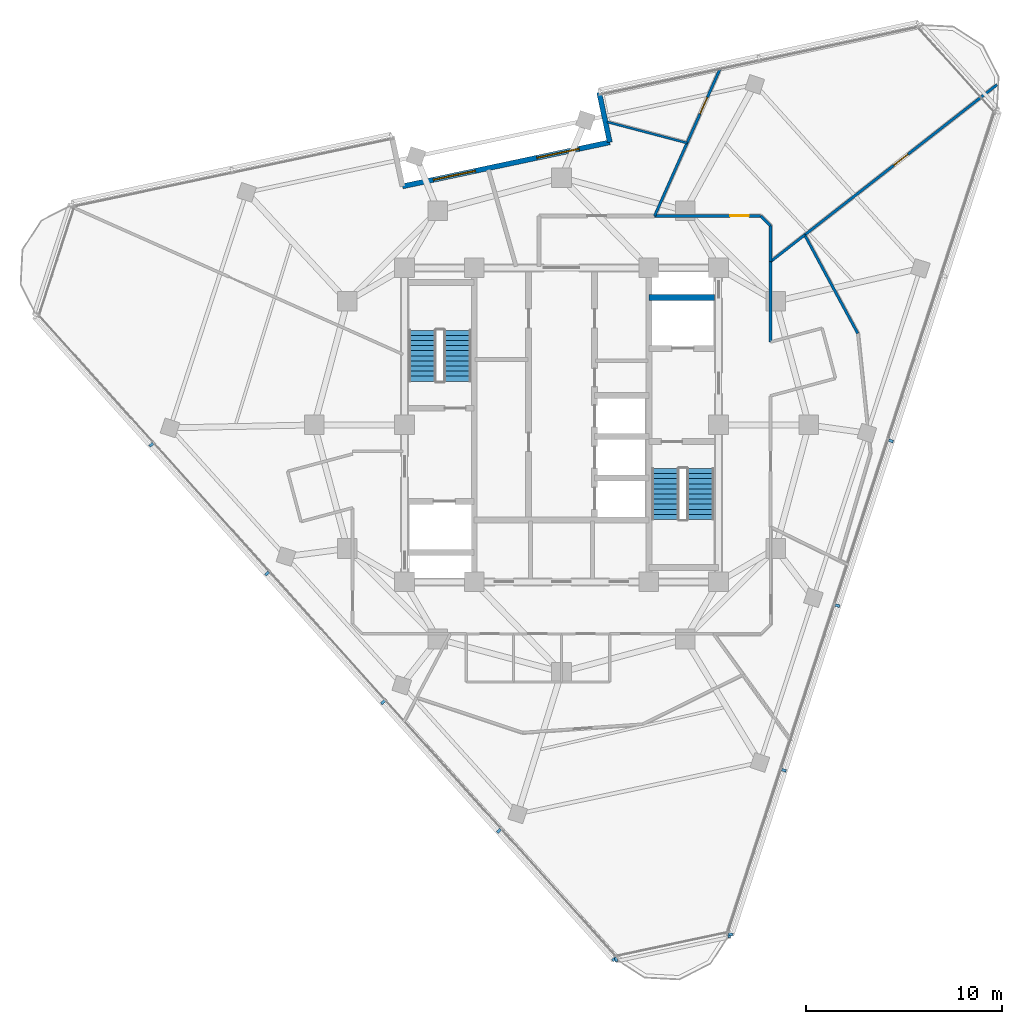
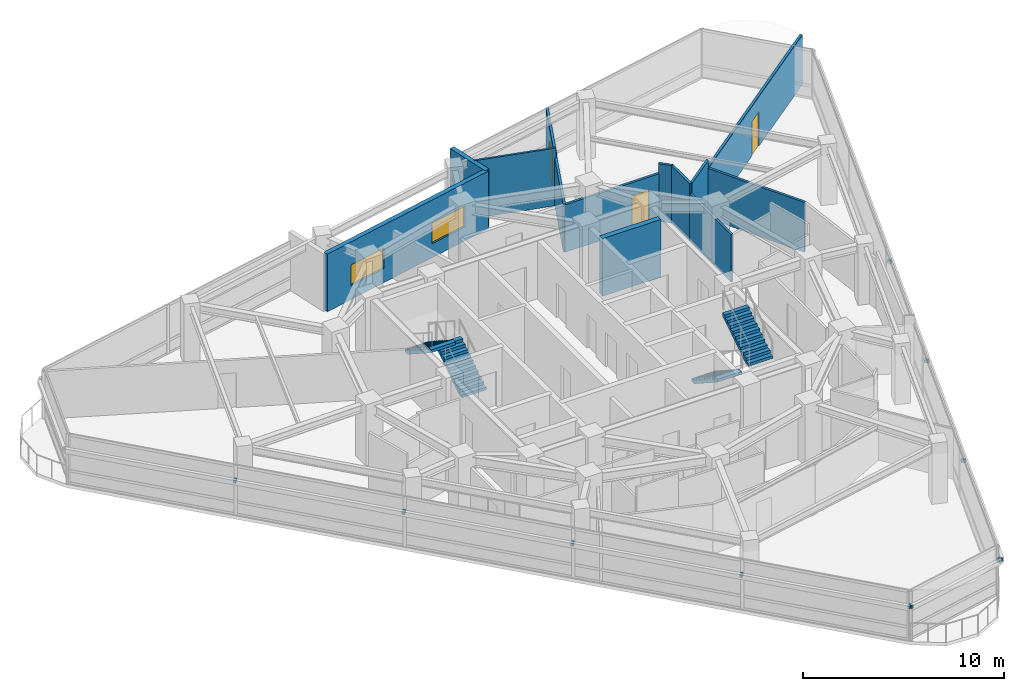
# One storey, part 10 of 15: 13 walls, 11 discrete accessories, 4 stair flights, 3 doors, 2 windows, 5 openings, 2 elements without a shape of their own.
"""IFC4 building model written with IfcOpenShell, lengths in metres."""

from ifc_helpers import new_model, si_unit, direction, frame, frame_2d, origin, origin_2d, place, context, subcontext, project, spatial, polyline, rectangle, outline, extrude, material, layer, layer_set, type_object, element, fill, aggregate, save


model = new_model("IFC4")

# Units and contexts
model_context = context("Model", 3, precision=1e-05, world=origin(), true_north=direction((0.0, 1.0)))
body_context = subcontext(model_context, "Body", "Model", "MODEL_VIEW")
ifc_project = project(units=[si_unit("LENGTHUNIT", "METRE"), si_unit("AREAUNIT", "SQUARE_METRE"), si_unit("VOLUMEUNIT", "CUBIC_METRE"), si_unit("PLANEANGLEUNIT", "RADIAN"), si_unit("MASSUNIT", "GRAM", prefix="KILO")], contexts=[model_context])

# Site, building, storey
site_placement = place(None, origin())
site = spatial("IfcSite", under=ifc_project, at=site_placement, CompositionType="ELEMENT")
building_placement = place(site_placement, origin())
building = spatial("IfcBuilding", under=site, at=building_placement, Name="Terralouvre Media Tower", CompositionType="ELEMENT")
storey_placement = place(building_placement, frame((0.0, 0.0, 301.699951171875)))
storey = spatial("IfcBuildingStorey", under=building, at=storey_placement, Name="L78", CompositionType="ELEMENT", Elevation=301.699951171875)

# Walls
ifc_material_1 = material(Name="Concrete C50/60", Category="concrete")
ifc_layer_1 = layer(ifc_material_1, 0.300048828125, Name="Core Internal Shaft Wall CW-300")
ifc_layer_set_1 = layer_set([ifc_layer_1], Name="Concrete C50/60")
wall_type_1 = type_object("IfcWallType", Name="Core Internal Shaft Wall CW-300", PredefinedType="SHEAR", material=ifc_layer_set_1)
wall_1_placement = place(storey_placement, frame((4.449951171875, 6.5, 0.0), z_axis=(0.0, 0.0, 1.0), x_axis=(1.0, 0.0, 0.0)))
element("IfcWall", 1, at=wall_1_placement, inside=storey, type_object=wall_type_1, Name="L78 Core Shaft Wall FF2N", PredefinedType="SHEAR", context=body_context, shape_type="SweptSolid", body=[
    extrude(rectangle(XDim=3.340087890625, YDim=0.300048828125, at=frame_2d((1.669921875, 0.0))), origin(), (0.0, 0.0, 1.0), 3.5),
])
ifc_material_2 = material(Name="Fire-rated gypsum board drywall partition")
ifc_layer_2 = layer(ifc_material_2, 0.135009765625, Name="Newsroom Acoustic Partition PT-135")
ifc_layer_set_2 = layer_set([ifc_layer_2], Name="Fire-rated gypsum board drywall partition")
wall_type_2 = type_object("IfcWallType", Name="Newsroom Acoustic Partition PT-135", PredefinedType="PARTITIONING", material=ifc_layer_set_2)
wall_2_placement = place(storey_placement, frame((10.64990234375, 4.22509765625, 0.0), z_axis=(0.0, 0.0, 1.0), x_axis=(0.0, 1.0, 0.0)))
element("IfcWall", 2, at=wall_2_placement, inside=storey, type_object=wall_type_2, Name="L78 Interior Partition 012", PredefinedType="PARTITIONING", context=body_context, shape_type="SweptSolid", body=[
    extrude(rectangle(XDim=4.095947265625, YDim=0.135009765625, at=frame_2d((2.0478515625, 0.0))), origin(), (0.0, 0.0, 1.0), 2.885009765625),
])
wall_3_placement = place(storey_placement, frame((10.64990234375, 8.321044921875, 0.0), z_axis=(0.0, 0.0, 1.0), x_axis=(0.0, 1.0, 0.0)))
element("IfcWall", 3, at=wall_3_placement, inside=storey, type_object=wall_type_2, Name="L78 Interior Partition 021", PredefinedType="PARTITIONING", context=body_context, shape_type="SweptSolid", body=[
    extrude(rectangle(XDim=1.828857421875, YDim=0.135009765625, at=frame_2d((0.91455078125, 0.0))), origin(), (0.0, 0.0, 1.0), 3.5),
])
wall_4_placement = place(storey_placement, frame((10.64990234375, 10.14990234375, 0.0), z_axis=(0.0, 0.0, 1.0), x_axis=(-0.707106781187, 0.707106781187, 0.0)))
element("IfcWall", 4, at=wall_4_placement, inside=storey, type_object=wall_type_2, Name="L78 Interior Partition 022", PredefinedType="PARTITIONING", context=body_context, shape_type="SweptSolid", body=[
    extrude(rectangle(XDim=0.70703125, YDim=0.135009765625, at=frame_2d((0.353515625, 0.0))), origin(), (0.0, 0.0, 1.0), 3.5),
])

# Wall, opening, door
wall_5_placement = place(storey_placement, frame((10.14990234375, 10.64990234375, 0.0), z_axis=(0.0, 0.0, 1.0), x_axis=(-1.0, 0.0, 0.0)))
wall_5 = element("IfcWall", 5, at=wall_5_placement, inside=storey, type_object=wall_type_2, Name="L78 Interior Partition 023", PredefinedType="PARTITIONING", context=body_context, shape_type="SweptSolid", body=[
    extrude(rectangle(XDim=5.407958984375, YDim=0.135009765625, at=frame_2d((2.7041015625, 0.0))), origin(), (0.0, 0.0, 1.0), 2.885009765625),
])
opening_1_placement = place(wall_5_placement, frame((0.606689453125, 0.0, 0.0)))
opening_1 = element("IfcOpeningElement", 6, at=opening_1_placement, cuts=wall_5, Name="Opening ID-02-95X210", PredefinedType="OPENING", context=body_context, shape_type="SweptSolid", body=[
    extrude(rectangle(XDim=0.949951171875, YDim=2.10009765625, at=frame_2d((0.47509765625, 1.050048828125))), frame((0.0, 0.077392578125, 0.0), z_axis=(0.0, -1.0, 0.0), x_axis=(1.0, 0.0, 0.0)), (0.0, 0.0, 1.0), 0.155029296875),
])
ifc_material_3 = material(Name="Engineered hardwood acoustic timber leaf", Category="wood")
door_type_1 = type_object("IfcDoorType", Name="Office and Meeting Room Door ID-02 (950x2100)", OperationType="NOTDEFINED", PredefinedType="DOOR", material=ifc_material_3)
door_1_placement = place(opening_1_placement, origin())
door_1 = element("IfcDoor", 7, at=door_1_placement, inside=storey, type_object=door_type_1, Name="L78 Staff Quiet Reading Club 7 Door", OperationType="SINGLE_SWING_LEFT", OverallHeight=2.10009765625, OverallWidth=0.949951171875, PredefinedType="DOOR", context=body_context, shape_type="SweptSolid", body=[
    extrude(rectangle(XDim=0.949951171875, YDim=2.10009765625, at=frame_2d((0.47509765625, 1.050048828125))), frame((0.0, 0.02490234375, 0.0), z_axis=(0.0, -1.0, 0.0), x_axis=(1.0, 0.0, 0.0)), (0.0, 0.0, 1.0), 0.050048828125),
])
fill(opening_1, door_1)

# Walls
wall_6_placement = place(storey_placement, frame((15.095947265625, 4.6630859375, 0.0), z_axis=(0.0, 0.0, 1.0), x_axis=(-0.474498198469, 0.88025647379, 0.0)))
element("IfcWall", 8, at=wall_6_placement, inside=storey, type_object=wall_type_2, Name="L78 Interior Partition 032", PredefinedType="PARTITIONING", context=body_context, shape_type="SweptSolid", body=[
    extrude(rectangle(XDim=5.700439453125, YDim=0.135009765625, at=frame_2d((2.85009765625, 0.0))), origin(), (0.0, 0.0, 1.0), 3.03515625),
])
wall_7_placement = place(storey_placement, frame((12.39111328125, 9.680908203125, 0.0), z_axis=(0.0, 0.0, 1.0), x_axis=(-0.788124883644, -0.615515367624, 0.0)))
element("IfcWall", 9, at=wall_7_placement, inside=storey, type_object=wall_type_2, Name="L78 Interior Partition 033", PredefinedType="PARTITIONING", context=body_context, shape_type="SweptSolid", body=[
    extrude(rectangle(XDim=2.209228515625, YDim=0.135009765625, at=frame_2d((1.1044921875, 0.0))), origin(), (0.0, 0.0, 1.0), 3.5),
])

# Wall, opening, door
wall_8_placement = place(storey_placement, frame((22.1923828125, 17.33837890625, 0.0), z_axis=(0.0, 0.0, 1.0), x_axis=(-0.788015446076, -0.615655469192, 0.0)))
wall_8 = element("IfcWall", 10, at=wall_8_placement, inside=storey, type_object=wall_type_2, Name="L78 Interior Partition 047", PredefinedType="PARTITIONING", context=body_context, shape_type="SweptSolid", body=[
    extrude(rectangle(XDim=12.43798828125, YDim=0.135009765625, at=frame_2d((6.218994140625, 0.0))), origin(), (0.0, 0.0, 1.0), 3.03515625),
])
opening_2_placement = place(wall_8_placement, frame((5.759033203125, 0.0, 0.0)))
opening_2 = element("IfcOpeningElement", 11, at=opening_2_placement, cuts=wall_8, Name="Opening ID-03-92X210", PredefinedType="OPENING", context=body_context, shape_type="SweptSolid", body=[
    extrude(rectangle(XDim=0.919921875, YDim=2.10009765625, at=frame_2d((0.4599609375, 1.050048828125))), frame((0.0, 0.077392578125, 0.0), z_axis=(0.0, -1.0, 0.0), x_axis=(1.0, 0.0, 0.0)), (0.0, 0.0, 1.0), 0.155029296875),
])
ifc_material_4 = material(Name="Engineered hardwood acoustic timber leaf", Category="wood")
door_type_2 = type_object("IfcDoorType", Name="Accessible Restroom and Suite Door ID-03 (920x2100)", OperationType="NOTDEFINED", PredefinedType="DOOR", material=ifc_material_4)
door_2_placement = place(opening_2_placement, origin())
door_2 = element("IfcDoor", 12, at=door_2_placement, inside=storey, type_object=door_type_2, Name="L78 Podcast Editing Creative Workshop 6 Door", OperationType="SINGLE_SWING_RIGHT", OverallHeight=2.10009765625, OverallWidth=0.919921875, PredefinedType="DOOR", context=body_context, shape_type="SweptSolid", body=[
    extrude(rectangle(XDim=0.919921875, YDim=2.10009765625, at=frame_2d((0.4599609375, 1.050048828125))), frame((0.0, 0.02490234375, 0.0), z_axis=(0.0, -1.0, 0.0), x_axis=(1.0, 0.0, 0.0)), (0.0, 0.0, 1.0), 0.050048828125),
])
fill(opening_2, door_2)

wall_9_placement = place(storey_placement, frame((8.092041015625, 18.176025390625, 0.0), z_axis=(0.0, 0.0, 1.0), x_axis=(-0.406654666586, -0.91358195152, 0.0)))
wall_9 = element("IfcWall", 13, at=wall_9_placement, inside=storey, type_object=wall_type_2, Name="L78 Interior Partition 048", PredefinedType="PARTITIONING", context=body_context, shape_type="SweptSolid", body=[
    extrude(rectangle(XDim=4.168212890625, YDim=0.135009765625, at=frame_2d((2.083984375, 0.0))), origin(), (0.0, 0.0, 1.0), 3.03515625),
])
opening_3_placement = place(wall_9_placement, frame((1.6240234375, 0.0, 0.0)))
opening_3 = element("IfcOpeningElement", 14, at=opening_3_placement, cuts=wall_9, Name="Opening ID-03-92X210", PredefinedType="OPENING", context=body_context, shape_type="SweptSolid", body=[
    extrude(rectangle(XDim=0.919921875, YDim=2.10009765625, at=frame_2d((0.4599609375, 1.050048828125))), frame((0.0, 0.077392578125, 0.0), z_axis=(0.0, -1.0, 0.0), x_axis=(1.0, 0.0, 0.0)), (0.0, 0.0, 1.0), 0.155029296875),
])
door_3_placement = place(opening_3_placement, origin())
door_3 = element("IfcDoor", 15, at=door_3_placement, inside=storey, type_object=door_type_2, Name="L78 Barista Coffee Tea Pantry 8 Door", OperationType="SINGLE_SWING_LEFT", OverallHeight=2.10009765625, OverallWidth=0.919921875, PredefinedType="DOOR", context=body_context, shape_type="SweptSolid", body=[
    extrude(rectangle(XDim=0.919921875, YDim=2.10009765625, at=frame_2d((0.4599609375, 1.050048828125))), frame((0.0, 0.02490234375, 0.0), z_axis=(0.0, -1.0, 0.0), x_axis=(1.0, 0.0, 0.0)), (0.0, 0.0, 1.0), 0.050048828125),
])
fill(opening_3, door_3)

# Wall
wall_10_placement = place(storey_placement, frame((6.39697265625, 14.367919921875, 0.0), z_axis=(0.0, 0.0, 1.0), x_axis=(-0.406667169341, -0.913576386177, 0.0)))
element("IfcWall", 16, at=wall_10_placement, inside=storey, type_object=wall_type_2, Name="L78 Interior Partition 049", PredefinedType="PARTITIONING", context=body_context, shape_type="SweptSolid", body=[
    extrude(rectangle(XDim=4.06982421875, YDim=0.135009765625, at=frame_2d((2.034912109375, 0.0))), origin(), (0.0, 0.0, 1.0), 2.885009765625),
])

# Wall, openings, windows
ifc_material_5 = material(Name="Kiln-fired architectural terracotta rainscreen cladding", Category="masonry")
ifc_layer_3 = layer(ifc_material_5, 0.260009765625, Name="Recessed Sky-Garden Acoustic Wall EW-SG260")
ifc_layer_set_3 = layer_set([ifc_layer_3], Name="Kiln-fired architectural terracotta rainscreen cladding")
wall_type_3 = type_object("IfcWallType", Name="Recessed Sky-Garden Acoustic Wall EW-SG260", PredefinedType="SOLIDWALL", material=ifc_layer_set_3)
wall_11_placement = place(storey_placement, frame((2.459228515625, 14.40234375, 0.0), z_axis=(0.0, 0.0, 1.0), x_axis=(-0.978149082982, -0.207904717268, 0.0)))
wall_11 = element("IfcWall", 17, at=wall_11_placement, inside=storey, type_object=wall_type_3, Name="L78 WP Recessed Loggia Back Wall", PredefinedType="SOLIDWALL", context=body_context, shape_type="SweptSolid", body=[
    extrude(rectangle(XDim=10.800048828125, YDim=0.260009765625, at=frame_2d((5.39990234375, 0.0))), origin(), (0.0, 0.0, 1.0), 3.5),
])
opening_4_placement = place(wall_11_placement, frame((1.60009765625, 0.0, 0.85009765625)))
opening_4 = element("IfcOpeningElement", 18, at=opening_4_placement, cuts=wall_11, Name="Opening W-04", PredefinedType="OPENING", context=body_context, shape_type="SweptSolid", body=[
    extrude(rectangle(XDim=2.199951171875, YDim=1.25, at=frame_2d((1.10009765625, 0.625))), frame((0.0, 0.139892578125, 0.0), z_axis=(0.0, -1.0, 0.0), x_axis=(1.0, 0.0, 0.0)), (0.0, 0.0, 1.0), 0.280029296875),
])
opening_5_placement = place(wall_11_placement, frame((7.0, 0.0, 0.85009765625)))
opening_5 = element("IfcOpeningElement", 19, at=opening_5_placement, cuts=wall_11, Name="Opening W-04", PredefinedType="OPENING", context=body_context, shape_type="SweptSolid", body=[
    extrude(rectangle(XDim=2.199951171875, YDim=1.25, at=frame_2d((1.10009765625, 0.625))), frame((0.0, 0.139892578125, 0.0), z_axis=(0.0, -1.0, 0.0), x_axis=(1.0, 0.0, 0.0)), (0.0, 0.0, 1.0), 0.280029296875),
])
ifc_material_6 = material(Name="Low-iron laminated double glazing with solar-control coating", Category="glass")
window_type = type_object("IfcWindowType", Name="Wind-Portal Observation Window W-04", PartitioningType="SINGLE_PANEL", PredefinedType="WINDOW", material=ifc_material_6)
window_1_placement = place(opening_4_placement, origin())
window_1 = element("IfcWindow", 20, at=window_1_placement, inside=storey, type_object=window_type, Name="L78 Pocket Loggia Window 1", OverallHeight=1.25, OverallWidth=2.199951171875, PartitioningType="SINGLE_PANEL", PredefinedType="WINDOW", context=body_context, shape_type="SweptSolid", body=[
    extrude(rectangle(XDim=2.199951171875, YDim=1.25, at=frame_2d((1.10009765625, 0.625))), frame((0.0, 0.030029296875, 0.0), z_axis=(0.0, -1.0, 0.0), x_axis=(1.0, 0.0, 0.0)), (0.0, 0.0, 1.0), 0.06005859375),
])
fill(opening_4, window_1)
window_2_placement = place(opening_5_placement, origin())
window_2 = element("IfcWindow", 21, at=window_2_placement, inside=storey, type_object=window_type, Name="L78 Pocket Loggia Window 2", OverallHeight=1.25, OverallWidth=2.199951171875, PartitioningType="SINGLE_PANEL", PredefinedType="WINDOW", context=body_context, shape_type="SweptSolid", body=[
    extrude(rectangle(XDim=2.199951171875, YDim=1.25, at=frame_2d((1.10009765625, 0.625))), frame((0.0, 0.030029296875, 0.0), z_axis=(0.0, -1.0, 0.0), x_axis=(1.0, 0.0, 0.0)), (0.0, 0.0, 1.0), 0.06005859375),
])
fill(opening_5, window_2)

# Walls
wall_12_placement = place(storey_placement, frame((1.918701171875, 16.945556640625, 0.0), z_axis=(0.0, 0.0, 1.0), x_axis=(0.207893569688, -0.978151452323, 0.0)))
element("IfcWall", 22, at=wall_12_placement, inside=storey, type_object=wall_type_3, Name="L78 WP Pocket Left Cheek Wall", PredefinedType="SOLIDWALL", context=body_context, shape_type="SweptSolid", body=[
    extrude(rectangle(XDim=2.60009765625, YDim=0.260009765625, at=frame_2d((1.300048828125, 0.0))), origin(), (0.0, 0.0, 1.0), 3.5),
])
ifc_material_7 = material(Name="Fire-rated gypsum board drywall partition")
ifc_layer_4 = layer(ifc_material_7, 0.114990234375, Name="Restroom and Pantry Partition PT-115")
ifc_layer_set_4 = layer_set([ifc_layer_4], Name="Fire-rated gypsum board drywall partition")
wall_type_4 = type_object("IfcWallType", Name="Restroom and Pantry Partition PT-115", PredefinedType="PARTITIONING", material=ifc_layer_set_4)
wall_13_placement = place(storey_placement, frame((2.3203125, 15.4404296875, 0.0), z_axis=(0.0, 0.0, 1.0), x_axis=(0.967091789993, -0.254427729874, 0.0)))
element("IfcWall", 23, at=wall_13_placement, inside=storey, type_object=wall_type_4, Name="L78 Interior Partition 050", PredefinedType="PARTITIONING", context=body_context, shape_type="SweptSolid", body=[
    extrude(rectangle(XDim=4.21533203125, YDim=0.114990234375, at=frame_2d((2.107666015625, 0.0))), origin(), (0.0, 0.0, 1.0), 3.5),
])

# Stair, stair flights
ifc_material_8 = material(Name="Concrete C45/55", Category="concrete")
stair_type_1 = type_object("IfcStairType", Name="Dogleg Stair Assembly ST-01", PredefinedType="HALF_TURN_STAIR", material=ifc_material_8)
stair_1_placement = place(storey_placement, origin())
stair_1 = element("IfcStair", 24, at=stair_1_placement, inside=storey, type_object=stair_type_1, Name="L78 Core Pressurised Exit Stair ST-01", PredefinedType="HALF_TURN_STAIR")
ifc_material_9 = material(Name="Concrete C45/55", Category="concrete")
stair_flight_type = type_object("IfcStairFlightType", Name="Reinforced Concrete Stair Flight SF-RC1", PredefinedType="STRAIGHT", material=ifc_material_9)
stair_flight_1_placement = place(storey_placement, frame((-5.300048828125, 2.219970703125, 0.0), z_axis=(0.0, 0.0, 1.0), x_axis=(0.0, 1.0, 0.0)))
stair_flight_1 = element("IfcStairFlight", 25, at=stair_flight_1_placement, type_object=stair_flight_type, Name="ST-01 flight 1", NumberOfRisers=11, NumberOfTreads=10, PredefinedType="STRAIGHT", RiserHeight=0.168181818, TreadLength=0.26, context=body_context, shape_type="SweptSolid", body=[
    extrude(outline(polyline([(0.0, 0.0), (0.0, 0.168212890625), (0.260009765625, 0.168212890625), (0.260009765625, 0.33642578125), (0.52001953125, 0.33642578125), (0.52001953125, 0.504638671875), (0.780029296875, 0.504638671875), (0.780029296875, 0.672607421875), (1.0400390625, 0.672607421875), (1.0400390625, 0.8408203125), (1.300048828125, 0.8408203125), (1.300048828125, 1.009033203125), (1.56005859375, 1.009033203125), (1.56005859375, 1.17724609375), (1.820068359375, 1.17724609375), (1.820068359375, 1.345458984375), (2.080078125, 1.345458984375), (2.080078125, 1.513671875), (2.340087890625, 1.513671875), (2.340087890625, 1.681884765625), (2.60009765625, 1.681884765625), (2.60009765625, 1.85009765625), (2.60009765625, 1.503173828125), (0.27587890625, 0.0), (0.0, 0.0)])), frame((0.0, 0.699951171875, 0.0), z_axis=(0.0, -1.0, 0.0), x_axis=(1.0, 0.0, 0.0)), (0.0, 0.0, 1.0), 1.39990234375),
])
stair_flight_2_placement = place(storey_placement, frame((-7.080078125, 4.820068359375, 1.85009765625), z_axis=(0.0, 0.0, 1.0), x_axis=(0.0, -1.0, 0.0)))
stair_flight_2 = element("IfcStairFlight", 26, at=stair_flight_2_placement, type_object=stair_flight_type, Name="ST-01 flight 2", NumberOfRisers=11, NumberOfTreads=10, PredefinedType="STRAIGHT", RiserHeight=0.168181818, TreadLength=0.26, context=body_context, shape_type="SweptSolid", body=[
    extrude(outline(polyline([(0.0, 0.0), (0.0, 0.168212890625), (0.260009765625, 0.168212890625), (0.260009765625, 0.33642578125), (0.52001953125, 0.33642578125), (0.52001953125, 0.504638671875), (0.780029296875, 0.504638671875), (0.780029296875, 0.672607421875), (1.0400390625, 0.672607421875), (1.0400390625, 0.8408203125), (1.300048828125, 0.8408203125), (1.300048828125, 1.009033203125), (1.56005859375, 1.009033203125), (1.56005859375, 1.17724609375), (1.820068359375, 1.17724609375), (1.820068359375, 1.345458984375), (2.080078125, 1.345458984375), (2.080078125, 1.513671875), (2.340087890625, 1.513671875), (2.340087890625, 1.681884765625), (2.60009765625, 1.681884765625), (2.60009765625, 1.85009765625), (2.60009765625, 1.503173828125), (0.27587890625, 0.0), (0.0, 0.0)])), frame((0.0, 0.699951171875, 0.0), z_axis=(0.0, -1.0, 0.0), x_axis=(1.0, 0.0, 0.0)), (0.0, 0.0, 1.0), 1.39990234375),
])
aggregate(stair_1, [stair_flight_1, stair_flight_2])

ifc_material_10 = material(Name="Concrete C45/55", Category="concrete")
stair_type_2 = type_object("IfcStairType", Name="Dogleg Stair Assembly ST-02", PredefinedType="HALF_TURN_STAIR", material=ifc_material_10)
stair_2_placement = place(storey_placement, origin())
stair_2 = element("IfcStair", 27, at=stair_2_placement, inside=storey, type_object=stair_type_2, Name="L78 Core Pressurised Exit Stair ST-02", PredefinedType="HALF_TURN_STAIR")
stair_flight_3_placement = place(storey_placement, frame((5.300048828125, -2.219970703125, 0.0), z_axis=(0.0, 0.0, 1.0), x_axis=(0.0, -1.0, 0.0)))
stair_flight_3 = element("IfcStairFlight", 28, at=stair_flight_3_placement, type_object=stair_flight_type, Name="ST-02 flight 1", NumberOfRisers=11, NumberOfTreads=10, PredefinedType="STRAIGHT", RiserHeight=0.168181818, TreadLength=0.26, context=body_context, shape_type="SweptSolid", body=[
    extrude(outline(polyline([(0.0, 0.0), (0.0, 0.168212890625), (0.260009765625, 0.168212890625), (0.260009765625, 0.33642578125), (0.52001953125, 0.33642578125), (0.52001953125, 0.504638671875), (0.780029296875, 0.504638671875), (0.780029296875, 0.672607421875), (1.0400390625, 0.672607421875), (1.0400390625, 0.8408203125), (1.300048828125, 0.8408203125), (1.300048828125, 1.009033203125), (1.56005859375, 1.009033203125), (1.56005859375, 1.17724609375), (1.820068359375, 1.17724609375), (1.820068359375, 1.345458984375), (2.080078125, 1.345458984375), (2.080078125, 1.513671875), (2.340087890625, 1.513671875), (2.340087890625, 1.681884765625), (2.60009765625, 1.681884765625), (2.60009765625, 1.85009765625), (2.60009765625, 1.503173828125), (0.27587890625, 0.0), (0.0, 0.0)])), frame((0.0, 0.699951171875, 0.0), z_axis=(0.0, -1.0, 0.0), x_axis=(1.0, 0.0, 0.0)), (0.0, 0.0, 1.0), 1.39990234375),
])
stair_flight_4_placement = place(storey_placement, frame((7.080078125, -4.820068359375, 1.85009765625), z_axis=(0.0, 0.0, 1.0), x_axis=(0.0, 1.0, 0.0)))
stair_flight_4 = element("IfcStairFlight", 29, at=stair_flight_4_placement, type_object=stair_flight_type, Name="ST-02 flight 2", NumberOfRisers=11, NumberOfTreads=10, PredefinedType="STRAIGHT", RiserHeight=0.168181818, TreadLength=0.26, context=body_context, shape_type="SweptSolid", body=[
    extrude(outline(polyline([(0.0, 0.0), (0.0, 0.168212890625), (0.260009765625, 0.168212890625), (0.260009765625, 0.33642578125), (0.52001953125, 0.33642578125), (0.52001953125, 0.504638671875), (0.780029296875, 0.504638671875), (0.780029296875, 0.672607421875), (1.0400390625, 0.672607421875), (1.0400390625, 0.8408203125), (1.300048828125, 0.8408203125), (1.300048828125, 1.009033203125), (1.56005859375, 1.009033203125), (1.56005859375, 1.17724609375), (1.820068359375, 1.17724609375), (1.820068359375, 1.345458984375), (2.080078125, 1.345458984375), (2.080078125, 1.513671875), (2.340087890625, 1.513671875), (2.340087890625, 1.681884765625), (2.60009765625, 1.681884765625), (2.60009765625, 1.85009765625), (2.60009765625, 1.503173828125), (0.27587890625, 0.0), (0.0, 0.0)])), frame((0.0, 0.699951171875, 0.0), z_axis=(0.0, -1.0, 0.0), x_axis=(1.0, 0.0, 0.0)), (0.0, 0.0, 1.0), 1.39990234375),
])
aggregate(stair_2, [stair_flight_3, stair_flight_4])

# Discrete accessories
ifc_material_11 = material(Name="Anodised extruded aluminium 6063-T6", Category="aluminium")
discrete_accessory_type = type_object("IfcDiscreteAccessoryType", Name="Mullion Stand-Off Baguette Fixing Bracket BK-01", PredefinedType="BRACKET", material=ifc_material_11)
for number, where, z_axis, x_axis, name in (
    (30, (8.617431640625, -25.955810546875, 2.07421875), (0.0, 0.0, 1.0), (0.309017021946, 0.951056507337, 0.0), "CW-L78-F0 Baguette Outrigger Bracket 1.01"),
    (31, (11.33251953125, -17.599365234375, 2.07421875), (0.0, 0.0, 1.0), (0.309017021946, 0.951056507337, 0.0), "CW-L78-F0 Baguette Outrigger Bracket 1.02"),
    (32, (14.059326171875, -9.207275390625, 2.07421875), (0.0, 0.0, 1.0), (0.309017021946, 0.951056507337, 0.0), "CW-L78-F0 Baguette Outrigger Bracket 1.03"),
    (33, (16.7861328125, -0.815185546875, 2.07421875), (0.0, 0.0, 1.0), (0.309017021946, 0.951056507337, 0.0), "CW-L78-F0 Baguette Outrigger Bracket 1.04"),
    (34, (-20.90771484375, -1.0146484375, 2.07421875), (0.0, 0.0, 1.0), (0.669130573531, -0.743144855036, 0.0), "CW-L78-F2 Baguette Outrigger Bracket 1.02"),
    (35, (-15.00341796875, -7.572021484375, 2.07421875), (0.0, 0.0, 1.0), (0.669130573531, -0.743144855036, 0.0), "CW-L78-F2 Baguette Outrigger Bracket 1.03"),
    (36, (-9.098876953125, -14.129638671875, 2.07421875), (0.0, 0.0, 1.0), (0.669130573531, -0.743144855036, 0.0), "CW-L78-F2 Baguette Outrigger Bracket 1.04"),
    (37, (-3.194580078125, -20.68701171875, 2.07421875), (0.0, 0.0, 1.0), (0.669130573531, -0.743144855036, 0.0), "CW-L78-F2 Baguette Outrigger Bracket 1.05"),
    (38, (2.684814453125, -27.216796875, 2.07421875), (0.0, 0.0, 1.0), (0.669130573531, -0.743144855036, 0.0), "CW-L78-F2 Baguette Outrigger Bracket 1.06"),
    (39, (2.780517578125, -27.229736328125, 2.07421875), (0.0, 0.0, 1.0), (0.978147609922, 0.207911647592, 0.0), "CW-L78-C0 Baguette Outrigger Bracket 1.01"),
    (40, (8.53515625, -26.00634765625, 2.07421875), (0.0, 0.0, 1.0), (0.978147609922, 0.207911647592, 0.0), "CW-L78-C0 Baguette Outrigger Bracket 1.02"),
):
    element("IfcDiscreteAccessory", number, at=place(storey_placement, frame(where, z_axis=z_axis, x_axis=x_axis)), inside=storey, type_object=discrete_accessory_type, Name=name, PredefinedType="BRACKET", context=body_context, shape_type="SweptSolid", body=[
        extrude(rectangle(XDim=0.139892578125, YDim=0.239990234375, at=origin_2d()), origin(), (0.0, 0.0, 1.0), 0.179931640625),
    ])

save(model, "model.ifc")
